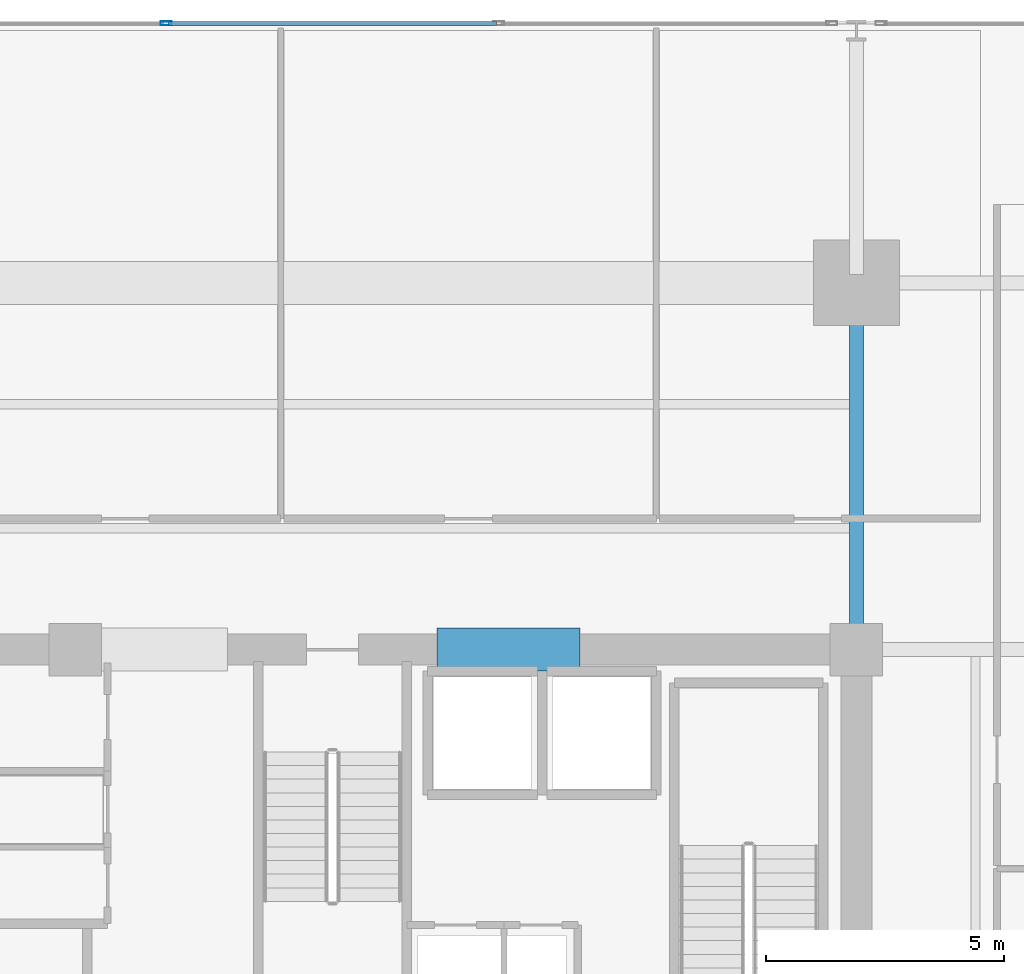
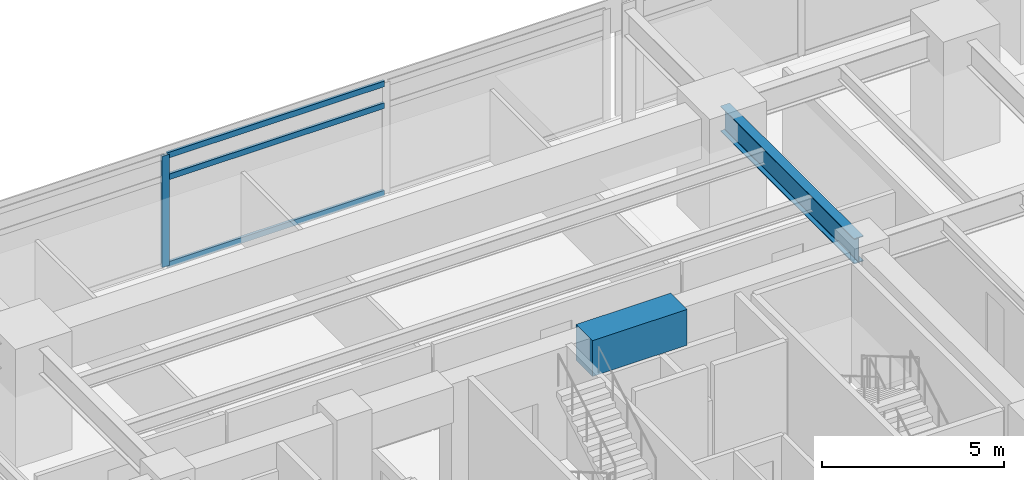
# One storey, part 10 of 22: 4 members, 2 beams, 1 element without a shape of its own.
"""IFC4 building model written with IfcOpenShell, lengths in metres."""

from ifc_helpers import new_model, si_unit, direction, frame, origin, origin_2d, place, context, subcontext, project, spatial, rectangle, hollow_rectangle, i_section, extrude, material, material_profile, profile_set, type_object, element, aggregate, save


model = new_model("IFC4")

# Units and contexts
model_context = context("Model", 3, precision=1e-05, world=origin(), true_north=direction((0.0, 1.0)))
body_context = subcontext(model_context, "Body", "Model", "MODEL_VIEW")
ifc_project = project(units=[si_unit("LENGTHUNIT", "METRE"), si_unit("AREAUNIT", "SQUARE_METRE"), si_unit("VOLUMEUNIT", "CUBIC_METRE"), si_unit("PLANEANGLEUNIT", "RADIAN"), si_unit("MASSUNIT", "GRAM", prefix="KILO")], contexts=[model_context])

# Site, building, storey
site_placement = place(None, origin())
site = spatial("IfcSite", under=ifc_project, at=site_placement, CompositionType="ELEMENT")
building_placement = place(site_placement, origin())
building = spatial("IfcBuilding", under=site, at=building_placement, Name="Kovane Verandah Tower", CompositionType="ELEMENT")
storey_placement = place(building_placement, frame((0.0, 0.0, 51.60009765625)))
storey = spatial("IfcBuildingStorey", under=building, at=storey_placement, Name="L11", CompositionType="ELEMENT", Elevation=51.60009765625)

# Beams
ifc_material_1 = material(Name="Concrete C80/95", Category="concrete")
ifc_material_profile_1 = material_profile(ifc_material_1, rectangle(XDim=0.89990234375, YDim=1.199951171875, at=origin_2d()), Name="RCB900x1200")
ifc_profile_set_1 = profile_set([ifc_material_profile_1], Name="Concrete C80/95")
beam_type_1 = type_object("IfcBeamType", Name="BM-LINTEL-900x1200", PredefinedType="LINTEL", material=ifc_profile_set_1)
beam_1_placement = place(storey_placement, frame((42.199951171875, 36.5, 3.159912109375), z_axis=(1.0, 0.0, 0.0), x_axis=(0.0, 1.0, 0.0)))
element("IfcBeam", 1, at=beam_1_placement, inside=storey, type_object=beam_type_1, Name="L11 Core Coupling Lintel CL-N2", PredefinedType="LINTEL", context=body_context, shape_type="SweptSolid", body=[
    extrude(rectangle(XDim=0.89990234375, YDim=1.199951171875, at=origin_2d()), origin(), (0.0, 0.0, 1.0), 3.0),
])
ifc_material_2 = material(Name="Steel S355", Category="steel")
ifc_material_profile_2 = material_profile(ifc_material_2, i_section(OverallWidth=0.293701171875, OverallDepth=0.850830078125, WebThickness=0.01611328125, FlangeThickness=0.02685546875, FilletRadius=0.017822265625, at=origin_2d()), Name="UB838x292x226")
ifc_profile_set_2 = profile_set([ifc_material_profile_2], Name="Steel S355")
beam_type_2 = type_object("IfcBeamType", Name="BM-UB838x226", PredefinedType="BEAM", material=ifc_profile_set_2)
beam_2_placement = place(storey_placement, frame((51.0, 36.679931640625, 3.33447265625), z_axis=(0.0, 1.0, 0.0), x_axis=(-1.0, 0.0, 0.0)))
element("IfcBeam", 2, at=beam_2_placement, inside=storey, type_object=beam_type_2, Name="L11 Primary Tower Girder G-N2", PredefinedType="BEAM", context=body_context, shape_type="SweptSolid", body=[
    extrude(i_section(OverallWidth=0.293701171875, OverallDepth=0.850830078125, WebThickness=0.01611328125, FlangeThickness=0.02685546875, FilletRadius=0.017822265625, at=origin_2d()), origin(), (0.0, 0.0, 1.0), 7.340087890625),
])

# Curtain wall, members
ifc_material_3 = material(Name="Champagne Anodised Aluminium Frame with Low-E Clear Laminated Glass", Category="aluminium")
curtain_wall_type = type_object("IfcCurtainWallType", Name="CW-SYS-02-LOW", PredefinedType="NOTDEFINED", material=ifc_material_3)
curtain_wall_placement = place(storey_placement, origin())
curtain_wall = element("IfcCurtainWall", 3, at=curtain_wall_placement, inside=storey, type_object=curtain_wall_type, Name="L11 N Unitised Curtain Wall-2", PredefinedType="NOTDEFINED")
ifc_material_4 = material(Name="Champagne Anodised Aluminium 6063-T6", Category="aluminium")
ifc_material_profile_3 = material_profile(ifc_material_4, hollow_rectangle(XDim=0.0849609375, YDim=0.22998046875, WallThickness=0.00390625, at=origin_2d()), Name="AL85x230x4")
ifc_profile_set_3 = profile_set([ifc_material_profile_3], Name="Champagne Anodised Aluminium 6063-T6")
member_type_1 = type_object("IfcMemberType", Name="CW-MUL-85x230", PredefinedType="MULLION", material=ifc_profile_set_3)
member_1_placement = place(storey_placement, frame((36.506591796875, 49.646240234375, 0.02001953125), z_axis=(0.0, 0.0, 1.0), x_axis=(0.0, 1.0, 0.0)))
member_1 = element("IfcMember", 4, at=member_1_placement, type_object=member_type_1, Name="L11 N Unitised Curtain Wall-2 Mullion 3", PredefinedType="MULLION", context=body_context, shape_type="SweptSolid", body=[
    extrude(hollow_rectangle(XDim=0.0849609375, YDim=0.22998046875, WallThickness=0.00390625, at=origin_2d()), origin(), (0.0, 0.0, 1.0), 3.719970703125),
])
ifc_material_profile_4 = material_profile(ifc_material_4, hollow_rectangle(XDim=0.0849609375, YDim=0.18994140625, WallThickness=0.00390625, at=origin_2d()), Name="AL85x190x4")
ifc_profile_set_4 = profile_set([ifc_material_profile_4], Name="Champagne Anodised Aluminium 6063-T6")
member_type_2 = type_object("IfcMemberType", Name="CW-TRN-85x190", PredefinedType="USERDEFINED", material=ifc_profile_set_4)
member_2_placement = place(storey_placement, frame((43.443359375, 49.646240234375, 0.0498046875), z_axis=(-1.0, 0.0, 0.0), x_axis=(0.0, -1.0, 0.0)))
member_2 = element("IfcMember", 5, at=member_2_placement, type_object=member_type_2, Name="L11 N Unitised Curtain Wall-2 Transom TB Bay 2", ObjectType="TRANSOM", PredefinedType="USERDEFINED", context=body_context, shape_type="SweptSolid", body=[
    extrude(hollow_rectangle(XDim=0.0849609375, YDim=0.18994140625, WallThickness=0.00390625, at=origin_2d()), origin(), (0.0, 0.0, 1.0), 6.88671875),
])
member_3_placement = place(storey_placement, frame((43.443359375, 49.646240234375, 2.97998046875), z_axis=(-1.0, 0.0, 0.0), x_axis=(0.0, -1.0, 0.0)))
member_3 = element("IfcMember", 6, at=member_3_placement, type_object=member_type_2, Name="L11 N Unitised Curtain Wall-2 Transom TM Bay 2", ObjectType="TRANSOM", PredefinedType="USERDEFINED", context=body_context, shape_type="SweptSolid", body=[
    extrude(hollow_rectangle(XDim=0.0849609375, YDim=0.18994140625, WallThickness=0.00390625, at=origin_2d()), origin(), (0.0, 0.0, 1.0), 6.88671875),
])
member_4_placement = place(storey_placement, frame((43.443359375, 49.646240234375, 3.7099609375), z_axis=(-1.0, 0.0, 0.0), x_axis=(0.0, -1.0, 0.0)))
member_4 = element("IfcMember", 7, at=member_4_placement, type_object=member_type_2, Name="L11 N Unitised Curtain Wall-2 Transom TT Bay 2", ObjectType="TRANSOM", PredefinedType="USERDEFINED", context=body_context, shape_type="SweptSolid", body=[
    extrude(hollow_rectangle(XDim=0.0849609375, YDim=0.18994140625, WallThickness=0.00390625, at=origin_2d()), origin(), (0.0, 0.0, 1.0), 6.88671875),
])
aggregate(curtain_wall, [member_1, member_2, member_3, member_4])

save(model, "model.ifc")
